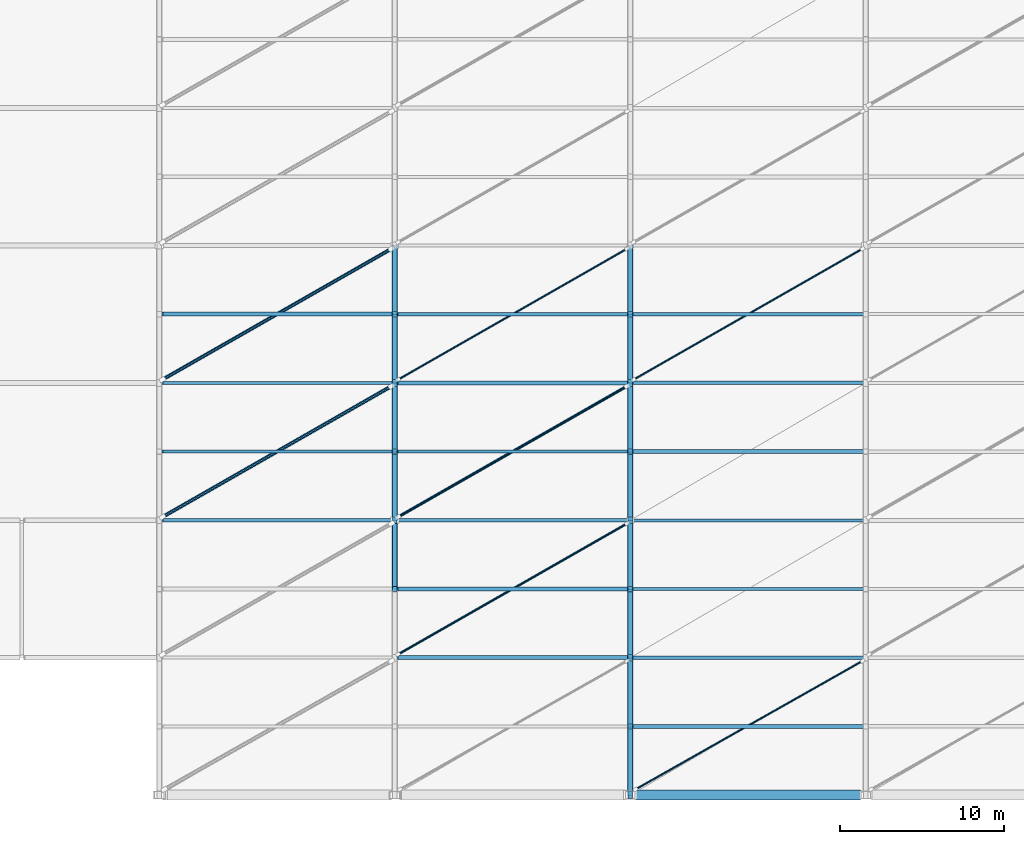
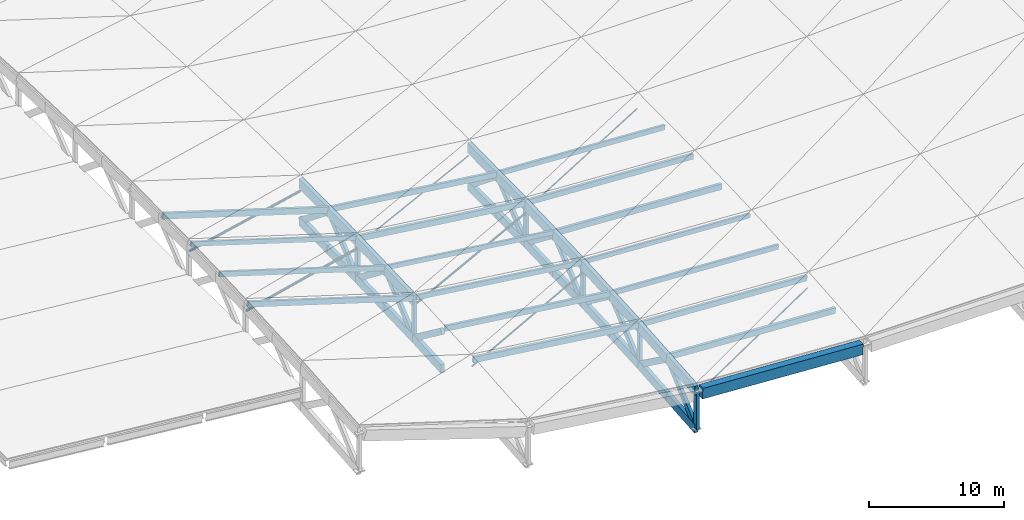
# One storey, part 2 of 22: 43 members, 26 beams.
"""IFC4 building model written with IfcOpenShell, lengths in metres."""

from ifc_helpers import new_model, si_unit, direction, frame, origin, origin_2d, place, context, subcontext, project, spatial, rectangle, hollow_circle, extrude, material, material_profile, profile_set, type_object, element, save


model = new_model("IFC4")

# Units and contexts
model_context = context("Model", 3, precision=1e-05, world=origin(), true_north=direction((0.0, 1.0)))
body_context = subcontext(model_context, "Body", "Model", "MODEL_VIEW")
ifc_project = project(units=[si_unit("LENGTHUNIT", "METRE"), si_unit("AREAUNIT", "SQUARE_METRE"), si_unit("VOLUMEUNIT", "CUBIC_METRE"), si_unit("PLANEANGLEUNIT", "RADIAN"), si_unit("MASSUNIT", "GRAM", prefix="KILO"), si_unit("THERMODYNAMICTEMPERATUREUNIT", "KELVIN")], contexts=[model_context])

# Site, building, storey
site_placement = place(None, origin())
site = spatial("IfcSite", under=ifc_project, at=site_placement, CompositionType="ELEMENT")
building_placement = place(site_placement, origin())
building = spatial("IfcBuilding", under=site, at=building_placement, Name="Nduvali Passage Aquatics Centre", CompositionType="ELEMENT")
storey_placement = place(building_placement, frame((0.0, 0.0, 21.60009765625)))
storey = spatial("IfcBuildingStorey", under=building, at=storey_placement, Name="RF", CompositionType="ELEMENT", Elevation=21.60009765625)

# Beams
ifc_material_1 = material(Name="Glulam GL32c", Category="wood")
ifc_material_profile_1 = material_profile(ifc_material_1, rectangle(XDim=0.320068359375, YDim=0.800048828125, at=origin_2d()), Name="GL32c 320x800")
ifc_profile_set_1 = profile_set([ifc_material_profile_1], Name="Glulam GL32c")
beam_type_1 = type_object("IfcBeamType", Name="STR-BM-GL32-BOT", PredefinedType="BEAM", material=ifc_profile_set_1)
beam_1_placement = place(storey_placement, frame((39.60009765625, 37.800048828125, -8.372802734375), z_axis=(0.0, 0.998233110761, 0.059419328339), x_axis=(-1.0, 0.0, 0.0)))
element("IfcBeam", 1, at=beam_1_placement, inside=storey, type_object=beam_type_1, Name="RF Pool Hall Roof Truss Bottom Chord R2 BC1-1717", PredefinedType="BEAM", context=body_context, shape_type="SweptSolid", body=[
    extrude(rectangle(XDim=0.320068359375, YDim=0.800048828125, at=origin_2d()), origin(), (0.0, 0.0, 1.0), 4.207275390625),
])
for number, where, z_axis, x_axis, name in (
    (2, (39.60009765625, 42.0, -8.122802734375), (0.0, 0.999363668121, 0.035668737559), (-1.0, 0.0, 0.0), "RF Pool Hall Roof Truss Bottom Chord R2 BC1-1719"),
    (3, (39.60009765625, 46.199951171875, -7.972900390625), (0.0, 0.999361595677, 0.035726755876), (-1.0, 0.0, 0.0), "RF Pool Hall Roof Truss Bottom Chord R2 BC1-1721"),
):
    element("IfcBeam", number, at=place(storey_placement, frame(where, z_axis=z_axis, x_axis=x_axis)), inside=storey, type_object=beam_type_1, Name=name, PredefinedType="BEAM", context=body_context, shape_type="SweptSolid", body=[
        extrude(rectangle(XDim=0.320068359375, YDim=0.800048828125, at=origin_2d()), origin(), (0.0, 0.0, 1.0), 4.20263671875),
    ])
beam_2_placement = place(storey_placement, frame((39.60009765625, 50.39990234375, -7.82275390625), z_axis=(0.0, 0.999929014015, 0.01191498767), x_axis=(-1.0, 0.0, 0.0)))
element("IfcBeam", 4, at=beam_2_placement, inside=storey, type_object=beam_type_1, Name="RF Pool Hall Roof Truss Bottom Chord R2 BC1-1723", PredefinedType="BEAM", context=body_context, shape_type="SweptSolid", body=[
    extrude(rectangle(XDim=0.320068359375, YDim=0.800048828125, at=origin_2d()), origin(), (0.0, 0.0, 1.0), 4.200439453125),
])
beam_3_placement = place(storey_placement, frame((39.60009765625, 54.60009765625, -7.772705078125), z_axis=(0.0, 0.999929696627, 0.011857563106), x_axis=(-1.0, 0.0, 0.0)))
element("IfcBeam", 5, at=beam_3_placement, inside=storey, type_object=beam_type_1, Name="RF Pool Hall Roof Truss Bottom Chord R2 BC1-1725", PredefinedType="BEAM", context=body_context, shape_type="SweptSolid", body=[
    extrude(rectangle(XDim=0.320068359375, YDim=0.800048828125, at=origin_2d()), origin(), (0.0, 0.0, 1.0), 4.2001953125),
])
beam_4_placement = place(storey_placement, frame((54.0, 25.199951171875, -11.158447265625), z_axis=(0.0, 0.996548554241, 0.083011921073), x_axis=(-1.0, 0.0, 0.0)))
element("IfcBeam", 6, at=beam_4_placement, inside=storey, type_object=beam_type_1, Name="RF Pool Hall Roof Truss Bottom Chord R3 BC1-1743", PredefinedType="BEAM", context=body_context, shape_type="SweptSolid", body=[
    extrude(rectangle(XDim=0.320068359375, YDim=0.800048828125, at=origin_2d()), origin(), (0.0, 0.0, 1.0), 4.214599609375),
])
beam_5_placement = place(storey_placement, frame((54.0, 29.39990234375, -10.80859375), z_axis=(0.0, 0.996544160125, 0.083064655058), x_axis=(-1.0, 0.0, 0.0)))
element("IfcBeam", 7, at=beam_5_placement, inside=storey, type_object=beam_type_1, Name="RF Pool Hall Roof Truss Bottom Chord R3 BC1-1745", PredefinedType="BEAM", context=body_context, shape_type="SweptSolid", body=[
    extrude(rectangle(XDim=0.320068359375, YDim=0.800048828125, at=origin_2d()), origin(), (0.0, 0.0, 1.0), 4.21484375),
])
for number, where, z_axis, x_axis, name in (
    (8, (54.0, 33.60009765625, -10.45849609375), (0.0, 0.998233110761, 0.059419328339), (-1.0, 0.0, 0.0), "RF Pool Hall Roof Truss Bottom Chord R3 BC1-1747"),
    (9, (54.0, 37.800048828125, -10.20849609375), (0.0, 0.998233110761, 0.059419328339), (-1.0, 0.0, 0.0), "RF Pool Hall Roof Truss Bottom Chord R3 BC1-1749"),
):
    element("IfcBeam", number, at=place(storey_placement, frame(where, z_axis=z_axis, x_axis=x_axis)), inside=storey, type_object=beam_type_1, Name=name, PredefinedType="BEAM", context=body_context, shape_type="SweptSolid", body=[
        extrude(rectangle(XDim=0.320068359375, YDim=0.800048828125, at=origin_2d()), origin(), (0.0, 0.0, 1.0), 4.207275390625),
    ])
for number, where, z_axis, x_axis, name in (
    (10, (54.0, 42.0, -9.95849609375), (0.0, 0.999363668121, 0.035668737559), (-1.0, 0.0, 0.0), "RF Pool Hall Roof Truss Bottom Chord R3 BC1-1751"),
    (11, (54.0, 46.199951171875, -9.80859375), (0.0, 0.999361595677, 0.035726755876), (-1.0, 0.0, 0.0), "RF Pool Hall Roof Truss Bottom Chord R3 BC1-1753"),
):
    element("IfcBeam", number, at=place(storey_placement, frame(where, z_axis=z_axis, x_axis=x_axis)), inside=storey, type_object=beam_type_1, Name=name, PredefinedType="BEAM", context=body_context, shape_type="SweptSolid", body=[
        extrude(rectangle(XDim=0.320068359375, YDim=0.800048828125, at=origin_2d()), origin(), (0.0, 0.0, 1.0), 4.20263671875),
    ])
beam_6_placement = place(storey_placement, frame((54.0, 50.39990234375, -9.658447265625), z_axis=(0.0, 0.999929014015, 0.01191498767), x_axis=(-1.0, 0.0, 0.0)))
element("IfcBeam", 12, at=beam_6_placement, inside=storey, type_object=beam_type_1, Name="RF Pool Hall Roof Truss Bottom Chord R3 BC1-1755", PredefinedType="BEAM", context=body_context, shape_type="SweptSolid", body=[
    extrude(rectangle(XDim=0.320068359375, YDim=0.800048828125, at=origin_2d()), origin(), (0.0, 0.0, 1.0), 4.200439453125),
])
beam_7_placement = place(storey_placement, frame((54.0, 54.60009765625, -9.6083984375), z_axis=(0.0, 0.999929696627, 0.011857563106), x_axis=(-1.0, 0.0, 0.0)))
element("IfcBeam", 13, at=beam_7_placement, inside=storey, type_object=beam_type_1, Name="RF Pool Hall Roof Truss Bottom Chord R3 BC1-1757", PredefinedType="BEAM", context=body_context, shape_type="SweptSolid", body=[
    extrude(rectangle(XDim=0.320068359375, YDim=0.800048828125, at=origin_2d()), origin(), (0.0, 0.0, 1.0), 4.2001953125),
])
ifc_material_profile_2 = material_profile(ifc_material_1, rectangle(XDim=0.320068359375, YDim=0.89990234375, at=origin_2d()), Name="GL32c 320x900")
ifc_profile_set_2 = profile_set([ifc_material_profile_2], Name="Glulam GL32c")
beam_type_2 = type_object("IfcBeamType", Name="STR-BM-GL32-TOP", PredefinedType="BEAM", material=ifc_profile_set_2)
for number, where, z_axis, x_axis, name in (
    (14, (39.60009765625, 42.0, -4.722900390625), (0.0, 0.999361595677, 0.035726755876), (-1.0, 0.0, 0.0), "RF Pool Hall Roof Truss Top Chord R2 TC1-1718"),
    (15, (39.60009765625, 46.199951171875, -4.57275390625), (0.0, 0.999363668121, 0.035668737559), (-1.0, 0.0, 0.0), "RF Pool Hall Roof Truss Top Chord R2 TC1-1720"),
):
    element("IfcBeam", number, at=place(storey_placement, frame(where, z_axis=z_axis, x_axis=x_axis)), inside=storey, type_object=beam_type_2, Name=name, PredefinedType="BEAM", context=body_context, shape_type="SweptSolid", body=[
        extrude(rectangle(XDim=0.320068359375, YDim=0.89990234375, at=origin_2d()), origin(), (0.0, 0.0, 1.0), 4.20263671875),
    ])
beam_8_placement = place(storey_placement, frame((39.60009765625, 50.39990234375, -4.4228515625), z_axis=(0.0, 0.999929014015, 0.01191498767), x_axis=(-1.0, 0.0, 0.0)))
element("IfcBeam", 16, at=beam_8_placement, inside=storey, type_object=beam_type_2, Name="RF Pool Hall Roof Truss Top Chord R2 TC1-1722", PredefinedType="BEAM", context=body_context, shape_type="SweptSolid", body=[
    extrude(rectangle(XDim=0.320068359375, YDim=0.89990234375, at=origin_2d()), origin(), (0.0, 0.0, 1.0), 4.200439453125),
])
beam_9_placement = place(storey_placement, frame((39.60009765625, 54.60009765625, -4.372802734375), z_axis=(0.0, 0.999929005763, 0.011915680183), x_axis=(-1.0, 0.0, 0.0)))
element("IfcBeam", 17, at=beam_9_placement, inside=storey, type_object=beam_type_2, Name="RF Pool Hall Roof Truss Top Chord R2 TC1-1724", PredefinedType="BEAM", context=body_context, shape_type="SweptSolid", body=[
    extrude(rectangle(XDim=0.320068359375, YDim=0.89990234375, at=origin_2d()), origin(), (0.0, 0.0, 1.0), 4.2001953125),
])
beam_10_placement = place(storey_placement, frame((54.0, 25.199951171875, -7.758544921875), z_axis=(0.0, 0.996543760423, 0.083069450238), x_axis=(-1.0, 0.0, 0.0)))
element("IfcBeam", 18, at=beam_10_placement, inside=storey, type_object=beam_type_2, Name="RF Pool Hall Roof Truss Top Chord R3 TC1-1742", PredefinedType="BEAM", context=body_context, shape_type="SweptSolid", body=[
    extrude(rectangle(XDim=0.320068359375, YDim=0.89990234375, at=origin_2d()), origin(), (0.0, 0.0, 1.0), 4.214599609375),
])
beam_11_placement = place(storey_placement, frame((54.0, 29.39990234375, -7.408447265625), z_axis=(0.0, 0.996548953392, 0.083007129168), x_axis=(-1.0, 0.0, 0.0)))
element("IfcBeam", 19, at=beam_11_placement, inside=storey, type_object=beam_type_2, Name="RF Pool Hall Roof Truss Top Chord R3 TC1-1744", PredefinedType="BEAM", context=body_context, shape_type="SweptSolid", body=[
    extrude(rectangle(XDim=0.320068359375, YDim=0.89990234375, at=origin_2d()), origin(), (0.0, 0.0, 1.0), 4.21484375),
])
for number, where, z_axis, x_axis, name in (
    (20, (54.0, 33.60009765625, -7.05859375), (0.0, 0.998233110761, 0.059419328339), (-1.0, 0.0, 0.0), "RF Pool Hall Roof Truss Top Chord R3 TC1-1746"),
    (21, (54.0, 37.800048828125, -6.80859375), (0.0, 0.998233110761, 0.059419328339), (-1.0, 0.0, 0.0), "RF Pool Hall Roof Truss Top Chord R3 TC1-1748"),
):
    element("IfcBeam", number, at=place(storey_placement, frame(where, z_axis=z_axis, x_axis=x_axis)), inside=storey, type_object=beam_type_2, Name=name, PredefinedType="BEAM", context=body_context, shape_type="SweptSolid", body=[
        extrude(rectangle(XDim=0.320068359375, YDim=0.89990234375, at=origin_2d()), origin(), (0.0, 0.0, 1.0), 4.207275390625),
    ])
for number, where, z_axis, x_axis, name in (
    (22, (54.0, 42.0, -6.55859375), (0.0, 0.999361595677, 0.035726755876), (-1.0, 0.0, 0.0), "RF Pool Hall Roof Truss Top Chord R3 TC1-1750"),
    (23, (54.0, 46.199951171875, -6.408447265625), (0.0, 0.999363668121, 0.035668737559), (-1.0, 0.0, 0.0), "RF Pool Hall Roof Truss Top Chord R3 TC1-1752"),
):
    element("IfcBeam", number, at=place(storey_placement, frame(where, z_axis=z_axis, x_axis=x_axis)), inside=storey, type_object=beam_type_2, Name=name, PredefinedType="BEAM", context=body_context, shape_type="SweptSolid", body=[
        extrude(rectangle(XDim=0.320068359375, YDim=0.89990234375, at=origin_2d()), origin(), (0.0, 0.0, 1.0), 4.20263671875),
    ])
beam_12_placement = place(storey_placement, frame((54.0, 50.39990234375, -6.258544921875), z_axis=(0.0, 0.999929014015, 0.01191498767), x_axis=(-1.0, 0.0, 0.0)))
element("IfcBeam", 24, at=beam_12_placement, inside=storey, type_object=beam_type_2, Name="RF Pool Hall Roof Truss Top Chord R3 TC1-1754", PredefinedType="BEAM", context=body_context, shape_type="SweptSolid", body=[
    extrude(rectangle(XDim=0.320068359375, YDim=0.89990234375, at=origin_2d()), origin(), (0.0, 0.0, 1.0), 4.200439453125),
])
beam_13_placement = place(storey_placement, frame((54.0, 54.60009765625, -6.20849609375), z_axis=(0.0, 0.999929005763, 0.011915680183), x_axis=(-1.0, 0.0, 0.0)))
element("IfcBeam", 25, at=beam_13_placement, inside=storey, type_object=beam_type_2, Name="RF Pool Hall Roof Truss Top Chord R3 TC1-1756", PredefinedType="BEAM", context=body_context, shape_type="SweptSolid", body=[
    extrude(rectangle(XDim=0.320068359375, YDim=0.89990234375, at=origin_2d()), origin(), (0.0, 0.0, 1.0), 4.2001953125),
])
ifc_material_2 = material(Name="Concrete C40/50", Category="concrete")
ifc_material_profile_3 = material_profile(ifc_material_2, rectangle(XDim=0.60009765625, YDim=0.949951171875, at=origin_2d()), Name="RC 600x950")
ifc_profile_set_3 = profile_set([ifc_material_profile_3], Name="Concrete C40/50")
beam_type_3 = type_object("IfcBeamType", Name="STR-BM-RC6095-EXT", PredefinedType="BEAM", material=ifc_profile_set_3)
beam_14_placement = place(storey_placement, frame((54.35009765625, 25.199951171875, -7.9814453125), z_axis=(0.998336260799, 0.0, -0.057660301546), x_axis=(0.0, 1.0, 0.0)))
element("IfcBeam", 26, at=beam_14_placement, inside=storey, type_object=beam_type_3, Name="RF Pool Hall Perimeter Ring Beam B1E-1666", PredefinedType="BEAM", context=body_context, shape_type="SweptSolid", body=[
    extrude(rectangle(XDim=0.60009765625, YDim=0.949951171875, at=origin_2d()), origin(), (0.0, 0.0, 1.0), 13.722900390625),
])

# Members
ifc_material_3 = material(Name="Steel S355", Category="steel")
ifc_material_profile_4 = material_profile(ifc_material_3, hollow_circle(Radius=0.05712890625, WallThickness=0.00634765625, at=origin_2d()), Name="CHS 114.3x6.3")
ifc_profile_set_4 = profile_set([ifc_material_profile_4], Name="Steel S355")
member_type_1 = type_object("IfcMemberType", Name="STR-MEM-CHS114", PredefinedType="BRACE", material=ifc_profile_set_4)
member_1_placement = place(storey_placement, frame((39.800048828125, 50.60009765625, -5.000732421875), z_axis=(0.863255417726, 0.493288810129, -0.107033796387), x_axis=(-0.496138938357, 0.868243142124, 0.0)))
element("IfcMember", 27, at=member_1_placement, inside=storey, type_object=member_type_1, Name="Pool Hall Roof Wind Brace B2-P4A", PredefinedType="BRACE", context=body_context, shape_type="SweptSolid", body=[
    extrude(hollow_circle(Radius=0.05712890625, WallThickness=0.00634765625, at=origin_2d()), origin(), (0.0, 0.0, 1.0), 16.2177734375),
])
member_2_placement = place(storey_placement, frame((54.320068359375, 25.550048828125, -8.33642578125), z_axis=(0.870422293129, 0.492272707925, -0.005710749232), x_axis=(-0.492280735282, 0.870436486868, 0.0)))
element("IfcMember", 28, at=member_2_placement, inside=storey, type_object=member_type_1, Name="Pool Hall Roof Wind Brace B3-P1A", PredefinedType="BRACE", context=body_context, shape_type="SweptSolid", body=[
    extrude(hollow_circle(Radius=0.05712890625, WallThickness=0.00634765625, at=origin_2d()), origin(), (0.0, 0.0, 1.0), 15.946044921875),
])
member_3_placement = place(storey_placement, frame((54.199951171875, 50.60009765625, -6.83642578125), z_axis=(0.867446616213, 0.495683780693, -0.042824730931), x_axis=(-0.496138938357, 0.868243142124, 0.0)))
element("IfcMember", 29, at=member_3_placement, inside=storey, type_object=member_type_1, Name="Pool Hall Roof Wind Brace B3-P4A", PredefinedType="BRACE", context=body_context, shape_type="SweptSolid", body=[
    extrude(hollow_circle(Radius=0.05712890625, WallThickness=0.00634765625, at=origin_2d()), origin(), (0.0, 0.0, 1.0), 16.139404296875),
])
ifc_material_profile_5 = material_profile(ifc_material_3, hollow_circle(Radius=0.06982421875, WallThickness=0.00634765625, at=origin_2d()), Name="CHS 139.7x6.3")
ifc_profile_set_5 = profile_set([ifc_material_profile_5], Name="Steel S355")
member_type_2 = type_object("IfcMemberType", Name="STR-MEM-CHS139", PredefinedType="BRACE", material=ifc_profile_set_5)
member_4_placement = place(storey_placement, frame((39.800048828125, 33.800048828125, -5.80078125), z_axis=(0.865279515362, 0.49444543735, -0.082553435905), x_axis=(-0.496138938357, 0.868243142124, 0.0)))
element("IfcMember", 30, at=member_4_placement, inside=storey, type_object=member_type_2, Name="Pool Hall Roof Wind Brace B2-P2A", PredefinedType="BRACE", context=body_context, shape_type="SweptSolid", body=[
    extrude(hollow_circle(Radius=0.06982421875, WallThickness=0.00634765625, at=origin_2d()), origin(), (0.0, 0.0, 1.0), 16.1796875),
])
ifc_material_profile_6 = material_profile(ifc_material_3, hollow_circle(Radius=0.084228515625, WallThickness=0.00634765625, at=origin_2d()), Name="CHS 168.3x6.3")
ifc_profile_set_6 = profile_set([ifc_material_profile_6], Name="Steel S355")
member_type_3 = type_object("IfcMemberType", Name="STR-MEM-CHS168", PredefinedType="BRACE", material=ifc_profile_set_6)
member_5_placement = place(storey_placement, frame((39.800048828125, 42.199951171875, -5.30078125), z_axis=(0.864332236549, 0.493904135171, -0.094807648017), x_axis=(-0.496138938357, 0.868243142124, 0.0)))
element("IfcMember", 31, at=member_5_placement, inside=storey, type_object=member_type_3, Name="Pool Hall Roof Wind Brace B2-P3A", PredefinedType="BRACE", context=body_context, shape_type="SweptSolid", body=[
    extrude(hollow_circle(Radius=0.084228515625, WallThickness=0.00634765625, at=origin_2d()), origin(), (0.0, 0.0, 1.0), 16.197509765625),
])
ifc_material_profile_7 = material_profile(ifc_material_3, hollow_circle(Radius=0.109619140625, WallThickness=0.008056640625, at=origin_2d()), Name="CHS 219.1x8.0")
ifc_profile_set_7 = profile_set([ifc_material_profile_7], Name="Steel S355")
member_type_4 = type_object("IfcMemberType", Name="STR-MEM-CHS219", PredefinedType="BRACE", material=ifc_profile_set_7)
member_6_placement = place(storey_placement, frame((25.39990234375, 42.199951171875, -0.822021484375), z_axis=(0.840478431284, 0.480273389305, -0.25086545811), x_axis=(-0.496138938357, 0.868243142124, 0.0)))
element("IfcMember", 32, at=member_6_placement, inside=storey, type_object=member_type_4, Name="Pool Hall Roof Wind Brace B1-P3A", PredefinedType="BRACE", context=body_context, shape_type="SweptSolid", body=[
    extrude(hollow_circle(Radius=0.109619140625, WallThickness=0.008056640625, at=origin_2d()), origin(), (0.0, 0.0, 1.0), 16.6572265625),
])
member_7_placement = place(storey_placement, frame((25.39990234375, 50.60009765625, -0.522216796875), z_axis=(0.83789881528, 0.478799323017, -0.262062556711), x_axis=(-0.496138938357, 0.868243142124, 0.0)))
element("IfcMember", 33, at=member_7_placement, inside=storey, type_object=member_type_4, Name="Pool Hall Roof Wind Brace B1-P4A", PredefinedType="BRACE", context=body_context, shape_type="SweptSolid", body=[
    extrude(hollow_circle(Radius=0.109619140625, WallThickness=0.008056640625, at=origin_2d()), origin(), (0.0, 0.0, 1.0), 16.70849609375),
])
ifc_material_4 = material(Name="Glulam GL28h", Category="wood")
ifc_material_profile_8 = material_profile(ifc_material_4, rectangle(XDim=0.260009765625, YDim=0.52001953125, at=origin_2d()), Name="GL28h 260x520")
ifc_profile_set_8 = profile_set([ifc_material_profile_8], Name="Glulam GL28h")
member_type_5 = type_object("IfcMemberType", Name="STR-MEM-GL-DIAG", PredefinedType="CHORD", material=ifc_profile_set_8)
member_8_placement = place(storey_placement, frame((39.60009765625, 37.800048828125, -4.972900390625), z_axis=(0.0, 0.800005580426, -0.599992559359), x_axis=(-1.0, 0.0, 0.0)))
element("IfcMember", 34, at=member_8_placement, inside=storey, type_object=member_type_5, Name="Pool Hall Roof Truss Web Diagonal R2-4", PredefinedType="CHORD", context=body_context, shape_type="SweptSolid", body=[
    extrude(rectangle(XDim=0.260009765625, YDim=0.52001953125, at=origin_2d()), origin(), (0.0, 0.0, 1.0), 5.25),
])
member_9_placement = place(storey_placement, frame((39.60009765625, 42.0, -8.122802734375), z_axis=(0.0, 0.763722969403, 0.645544131726), x_axis=(-1.0, 0.0, 0.0)))
element("IfcMember", 35, at=member_9_placement, inside=storey, type_object=member_type_5, Name="Pool Hall Roof Truss Web Diagonal R2-5", PredefinedType="CHORD", context=body_context, shape_type="SweptSolid", body=[
    extrude(rectangle(XDim=0.260009765625, YDim=0.52001953125, at=origin_2d()), origin(), (0.0, 0.0, 1.0), 5.499267578125),
])
member_10_placement = place(storey_placement, frame((39.60009765625, 46.199951171875, -4.57275390625), z_axis=(0.0, 0.790867256885, -0.611987730259), x_axis=(-1.0, 0.0, 0.0)))
element("IfcMember", 36, at=member_10_placement, inside=storey, type_object=member_type_5, Name="Pool Hall Roof Truss Web Diagonal R2-6", PredefinedType="CHORD", context=body_context, shape_type="SweptSolid", body=[
    extrude(rectangle(XDim=0.260009765625, YDim=0.52001953125, at=origin_2d()), origin(), (0.0, 0.0, 1.0), 5.310546875),
])
member_11_placement = place(storey_placement, frame((39.60009765625, 50.39990234375, -7.82275390625), z_axis=(0.0, 0.772745137627, 0.634716434539), x_axis=(-1.0, 0.0, 0.0)))
element("IfcMember", 37, at=member_11_placement, inside=storey, type_object=member_type_5, Name="Pool Hall Roof Truss Web Diagonal R2-7", PredefinedType="CHORD", context=body_context, shape_type="SweptSolid", body=[
    extrude(rectangle(XDim=0.260009765625, YDim=0.52001953125, at=origin_2d()), origin(), (0.0, 0.0, 1.0), 5.435302734375),
])
member_12_placement = place(storey_placement, frame((39.60009765625, 54.60009765625, -4.372802734375), z_axis=(0.0, 0.781763575378, -0.623574945145), x_axis=(-1.0, 0.0, 0.0)))
element("IfcMember", 38, at=member_12_placement, inside=storey, type_object=member_type_5, Name="Pool Hall Roof Truss Web Diagonal R2-8", PredefinedType="CHORD", context=body_context, shape_type="SweptSolid", body=[
    extrude(rectangle(XDim=0.260009765625, YDim=0.52001953125, at=origin_2d()), origin(), (0.0, 0.0, 1.0), 5.372314453125),
])
member_13_placement = place(storey_placement, frame((54.0, 25.199951171875, -11.158447265625), z_axis=(0.0, 0.745933814853, 0.666020077669), x_axis=(-1.0, 0.0, 0.0)))
element("IfcMember", 39, at=member_13_placement, inside=storey, type_object=member_type_5, Name="Pool Hall Roof Truss Web Diagonal R3-1", PredefinedType="CHORD", context=body_context, shape_type="SweptSolid", body=[
    extrude(rectangle(XDim=0.260009765625, YDim=0.52001953125, at=origin_2d()), origin(), (0.0, 0.0, 1.0), 5.63037109375),
])
member_14_placement = place(storey_placement, frame((54.0, 29.39990234375, -7.408447265625), z_axis=(0.0, 0.809160952466, -0.587587059937), x_axis=(-1.0, 0.0, 0.0)))
element("IfcMember", 40, at=member_14_placement, inside=storey, type_object=member_type_5, Name="Pool Hall Roof Truss Web Diagonal R3-2", PredefinedType="CHORD", context=body_context, shape_type="SweptSolid", body=[
    extrude(rectangle(XDim=0.260009765625, YDim=0.52001953125, at=origin_2d()), origin(), (0.0, 0.0, 1.0), 5.19091796875),
])
member_15_placement = place(storey_placement, frame((54.0, 33.60009765625, -10.45849609375), z_axis=(0.0, 0.754803851974, 0.655950566007), x_axis=(-1.0, 0.0, 0.0)))
element("IfcMember", 41, at=member_15_placement, inside=storey, type_object=member_type_5, Name="Pool Hall Roof Truss Web Diagonal R3-3", PredefinedType="CHORD", context=body_context, shape_type="SweptSolid", body=[
    extrude(rectangle(XDim=0.260009765625, YDim=0.52001953125, at=origin_2d()), origin(), (0.0, 0.0, 1.0), 5.564208984375),
])
member_16_placement = place(storey_placement, frame((54.0, 37.800048828125, -6.80859375), z_axis=(0.0, 0.800005580426, -0.599992559359), x_axis=(-1.0, 0.0, 0.0)))
element("IfcMember", 42, at=member_16_placement, inside=storey, type_object=member_type_5, Name="Pool Hall Roof Truss Web Diagonal R3-4", PredefinedType="CHORD", context=body_context, shape_type="SweptSolid", body=[
    extrude(rectangle(XDim=0.260009765625, YDim=0.52001953125, at=origin_2d()), origin(), (0.0, 0.0, 1.0), 5.25),
])
member_17_placement = place(storey_placement, frame((54.0, 42.0, -9.95849609375), z_axis=(0.0, 0.763722969403, 0.645544131726), x_axis=(-1.0, 0.0, 0.0)))
element("IfcMember", 43, at=member_17_placement, inside=storey, type_object=member_type_5, Name="Pool Hall Roof Truss Web Diagonal R3-5", PredefinedType="CHORD", context=body_context, shape_type="SweptSolid", body=[
    extrude(rectangle(XDim=0.260009765625, YDim=0.52001953125, at=origin_2d()), origin(), (0.0, 0.0, 1.0), 5.499267578125),
])
member_18_placement = place(storey_placement, frame((54.0, 46.199951171875, -6.408447265625), z_axis=(0.0, 0.790867256885, -0.611987730259), x_axis=(-1.0, 0.0, 0.0)))
element("IfcMember", 44, at=member_18_placement, inside=storey, type_object=member_type_5, Name="Pool Hall Roof Truss Web Diagonal R3-6", PredefinedType="CHORD", context=body_context, shape_type="SweptSolid", body=[
    extrude(rectangle(XDim=0.260009765625, YDim=0.52001953125, at=origin_2d()), origin(), (0.0, 0.0, 1.0), 5.310546875),
])
member_19_placement = place(storey_placement, frame((54.0, 50.39990234375, -9.658447265625), z_axis=(0.0, 0.772745137627, 0.634716434539), x_axis=(-1.0, 0.0, 0.0)))
element("IfcMember", 45, at=member_19_placement, inside=storey, type_object=member_type_5, Name="Pool Hall Roof Truss Web Diagonal R3-7", PredefinedType="CHORD", context=body_context, shape_type="SweptSolid", body=[
    extrude(rectangle(XDim=0.260009765625, YDim=0.52001953125, at=origin_2d()), origin(), (0.0, 0.0, 1.0), 5.435302734375),
])
member_20_placement = place(storey_placement, frame((54.0, 54.60009765625, -6.20849609375), z_axis=(0.0, 0.781763575378, -0.623574945145), x_axis=(-1.0, 0.0, 0.0)))
element("IfcMember", 46, at=member_20_placement, inside=storey, type_object=member_type_5, Name="Pool Hall Roof Truss Web Diagonal R3-8", PredefinedType="CHORD", context=body_context, shape_type="SweptSolid", body=[
    extrude(rectangle(XDim=0.260009765625, YDim=0.52001953125, at=origin_2d()), origin(), (0.0, 0.0, 1.0), 5.372314453125),
])
ifc_material_profile_9 = material_profile(ifc_material_4, rectangle(XDim=0.179931640625, YDim=0.39990234375, at=origin_2d()), Name="GL28h 180x400")
ifc_profile_set_9 = profile_set([ifc_material_profile_9], Name="Glulam GL28h")
member_type_6 = type_object("IfcMemberType", Name="STR-MEM-GL-PUR1", PredefinedType="PURLIN", material=ifc_profile_set_9)
member_21_placement = place(storey_placement, frame((25.360107421875, 50.39990234375, 0.26318359375), z_axis=(0.954880673718, 0.0, -0.296989728711), x_axis=(0.0, 1.0, 0.0)))
element("IfcMember", 47, at=member_21_placement, inside=storey, type_object=member_type_6, Name="Pool Hall Saddle Roof Purlin B1-6", PredefinedType="PURLIN", context=body_context, shape_type="SweptSolid", body=[
    extrude(rectangle(XDim=0.179931640625, YDim=0.39990234375, at=origin_2d()), origin(), (0.0, 0.0, 1.0), 14.7451171875),
])
member_22_placement = place(storey_placement, frame((39.760009765625, 46.199951171875, -4.336181640625), z_axis=(0.991972197135, 0.0, -0.126456158852), x_axis=(0.0, 1.0, 0.0)))
element("IfcMember", 48, at=member_22_placement, inside=storey, type_object=member_type_6, Name="Pool Hall Saddle Roof Purlin B2-5", PredefinedType="PURLIN", context=body_context, shape_type="SweptSolid", body=[
    extrude(rectangle(XDim=0.179931640625, YDim=0.39990234375, at=origin_2d()), origin(), (0.0, 0.0, 1.0), 14.194091796875),
])
member_23_placement = place(storey_placement, frame((54.159912109375, 42.0, -6.310302734375), z_axis=(0.998494679989, 0.0, -0.054848646591), x_axis=(0.0, 1.0, 0.0)))
element("IfcMember", 49, at=member_23_placement, inside=storey, type_object=member_type_6, Name="Pool Hall Saddle Roof Purlin B3-4", PredefinedType="PURLIN", context=body_context, shape_type="SweptSolid", body=[
    extrude(rectangle(XDim=0.179931640625, YDim=0.39990234375, at=origin_2d()), origin(), (0.0, 0.0, 1.0), 14.101318359375),
])
ifc_material_profile_10 = material_profile(ifc_material_4, rectangle(XDim=0.219970703125, YDim=0.47998046875, at=origin_2d()), Name="GL28h 220x480")
ifc_profile_set_10 = profile_set([ifc_material_profile_10], Name="Glulam GL28h")
member_type_7 = type_object("IfcMemberType", Name="STR-MEM-GL-PUR3", PredefinedType="PURLIN", material=ifc_profile_set_10)
member_24_placement = place(storey_placement, frame((25.360107421875, 42.0, -0.076904296875), z_axis=(0.954880673718, 0.0, -0.296989728711), x_axis=(0.0, 1.0, 0.0)))
element("IfcMember", 50, at=member_24_placement, inside=storey, type_object=member_type_7, Name="Pool Hall Saddle Roof Purlin B1-4", PredefinedType="PURLIN", context=body_context, shape_type="SweptSolid", body=[
    extrude(rectangle(XDim=0.219970703125, YDim=0.47998046875, at=origin_2d()), origin(), (0.0, 0.0, 1.0), 14.7451171875),
])
for number, where, z_axis, x_axis, name in (
    (51, (39.760009765625, 37.800048828125, -4.776123046875), (0.991972197135, 0.0, -0.126456158852), (0.0, 1.0, 0.0), "Pool Hall Saddle Roof Purlin B2-3"),
    (52, (39.760009765625, 54.60009765625, -4.17626953125), (0.991972197135, 0.0, -0.126456158852), (0.0, 1.0, 0.0), "Pool Hall Saddle Roof Purlin B2-7"),
):
    element("IfcMember", number, at=place(storey_placement, frame(where, z_axis=z_axis, x_axis=x_axis)), inside=storey, type_object=member_type_7, Name=name, PredefinedType="PURLIN", context=body_context, shape_type="SweptSolid", body=[
        extrude(rectangle(XDim=0.219970703125, YDim=0.47998046875, at=origin_2d()), origin(), (0.0, 0.0, 1.0), 14.194091796875),
    ])
for number, where, z_axis, x_axis, name in (
    (53, (54.159912109375, 33.60009765625, -6.850341796875), (0.998494679989, 0.0, -0.054848646591), (0.0, 1.0, 0.0), "Pool Hall Saddle Roof Purlin B3-2"),
    (54, (54.159912109375, 50.39990234375, -6.05029296875), (0.998494679989, 0.0, -0.054848646591), (0.0, 1.0, 0.0), "Pool Hall Saddle Roof Purlin B3-6"),
):
    element("IfcMember", number, at=place(storey_placement, frame(where, z_axis=z_axis, x_axis=x_axis)), inside=storey, type_object=member_type_7, Name=name, PredefinedType="PURLIN", context=body_context, shape_type="SweptSolid", body=[
        extrude(rectangle(XDim=0.219970703125, YDim=0.47998046875, at=origin_2d()), origin(), (0.0, 0.0, 1.0), 14.101318359375),
    ])
ifc_material_profile_11 = material_profile(ifc_material_4, rectangle(XDim=0.199951171875, YDim=0.43994140625, at=origin_2d()), Name="GL28h 200x440")
ifc_profile_set_11 = profile_set([ifc_material_profile_11], Name="Glulam GL28h")
member_type_8 = type_object("IfcMemberType", Name="STR-MEM-GL-PUR4", PredefinedType="PURLIN", material=ifc_profile_set_11)
member_25_placement = place(storey_placement, frame((25.360107421875, 46.199951171875, 0.093017578125), z_axis=(0.954885369125, 0.0, -0.296974631628), x_axis=(0.0, 1.0, 0.0)))
element("IfcMember", 55, at=member_25_placement, inside=storey, type_object=member_type_8, Name="Pool Hall Saddle Roof Purlin B1-5", PredefinedType="PURLIN", context=body_context, shape_type="SweptSolid", body=[
    extrude(rectangle(XDim=0.199951171875, YDim=0.43994140625, at=origin_2d()), origin(), (0.0, 0.0, 1.0), 14.7451171875),
])
member_26_placement = place(storey_placement, frame((39.760009765625, 42.0, -4.506103515625), z_axis=(0.991972197135, 0.0, -0.126456158852), x_axis=(0.0, 1.0, 0.0)))
element("IfcMember", 56, at=member_26_placement, inside=storey, type_object=member_type_8, Name="Pool Hall Saddle Roof Purlin B2-4", PredefinedType="PURLIN", context=body_context, shape_type="SweptSolid", body=[
    extrude(rectangle(XDim=0.199951171875, YDim=0.43994140625, at=origin_2d()), origin(), (0.0, 0.0, 1.0), 14.194091796875),
])
for number, where, z_axis, x_axis, name in (
    (57, (54.159912109375, 37.800048828125, -6.580322265625), (0.998494679989, 0.0, -0.054848646591), (0.0, 1.0, 0.0), "Pool Hall Saddle Roof Purlin B3-3"),
    (58, (54.159912109375, 54.60009765625, -5.980224609375), (0.998493731658, 0.0, -0.054865907817), (0.0, 1.0, 0.0), "Pool Hall Saddle Roof Purlin B3-7"),
):
    element("IfcMember", number, at=place(storey_placement, frame(where, z_axis=z_axis, x_axis=x_axis)), inside=storey, type_object=member_type_8, Name=name, PredefinedType="PURLIN", context=body_context, shape_type="SweptSolid", body=[
        extrude(rectangle(XDim=0.199951171875, YDim=0.43994140625, at=origin_2d()), origin(), (0.0, 0.0, 1.0), 14.101318359375),
    ])
ifc_material_profile_12 = material_profile(ifc_material_4, rectangle(XDim=0.239990234375, YDim=0.52001953125, at=origin_2d()), Name="GL28h 240x520")
ifc_profile_set_12 = profile_set([ifc_material_profile_12], Name="Glulam GL28h")
member_type_9 = type_object("IfcMemberType", Name="STR-MEM-GL-PUR5", PredefinedType="PURLIN", material=ifc_profile_set_12)
member_27_placement = place(storey_placement, frame((25.360107421875, 54.60009765625, 0.253173828125), z_axis=(0.954880673718, 0.0, -0.296989728711), x_axis=(0.0, 1.0, 0.0)))
element("IfcMember", 59, at=member_27_placement, inside=storey, type_object=member_type_9, Name="Pool Hall Saddle Roof Purlin B1-7", PredefinedType="PURLIN", context=body_context, shape_type="SweptSolid", body=[
    extrude(rectangle(XDim=0.239990234375, YDim=0.52001953125, at=origin_2d()), origin(), (0.0, 0.0, 1.0), 14.7451171875),
])
for number, where, z_axis, x_axis, name in (
    (60, (39.760009765625, 33.60009765625, -5.046142578125), (0.991972197135, 0.0, -0.126456158852), (0.0, 1.0, 0.0), "Pool Hall Saddle Roof Purlin B2-2"),
    (61, (39.760009765625, 50.39990234375, -4.24609375), (0.991972197135, 0.0, -0.126456158852), (0.0, 1.0, 0.0), "Pool Hall Saddle Roof Purlin B2-6"),
):
    element("IfcMember", number, at=place(storey_placement, frame(where, z_axis=z_axis, x_axis=x_axis)), inside=storey, type_object=member_type_9, Name=name, PredefinedType="PURLIN", context=body_context, shape_type="SweptSolid", body=[
        extrude(rectangle(XDim=0.239990234375, YDim=0.52001953125, at=origin_2d()), origin(), (0.0, 0.0, 1.0), 14.194091796875),
    ])
for number, where, z_axis, x_axis, name in (
    (62, (54.159912109375, 29.39990234375, -7.22021484375), (0.998493731658, 0.0, -0.054865907817), (0.0, 1.0, 0.0), "Pool Hall Saddle Roof Purlin B3-1"),
    (63, (54.159912109375, 46.199951171875, -6.22021484375), (0.998493731658, 0.0, -0.054865907817), (0.0, 1.0, 0.0), "Pool Hall Saddle Roof Purlin B3-5"),
):
    element("IfcMember", number, at=place(storey_placement, frame(where, z_axis=z_axis, x_axis=x_axis)), inside=storey, type_object=member_type_9, Name=name, PredefinedType="PURLIN", context=body_context, shape_type="SweptSolid", body=[
        extrude(rectangle(XDim=0.239990234375, YDim=0.52001953125, at=origin_2d()), origin(), (0.0, 0.0, 1.0), 14.101318359375),
    ])
ifc_material_profile_13 = material_profile(ifc_material_4, rectangle(XDim=0.260009765625, YDim=0.419921875, at=origin_2d()), Name="GL28h 260x420")
ifc_profile_set_13 = profile_set([ifc_material_profile_13], Name="Glulam GL28h")
member_type_10 = type_object("IfcMemberType", Name="STR-MEM-GL-VERT", PredefinedType="STRUT", material=ifc_profile_set_13)
for number, where, z_axis, x_axis, name in (
    (64, (39.60009765625, 42.0, -8.122802734375), (0.0, 0.0, 1.0), (1.0, 0.0, 0.0), "Pool Hall Roof Truss Vertical Strut R2-3"),
    (65, (39.60009765625, 50.39990234375, -7.82275390625), (0.0, 0.0, 1.0), (1.0, 0.0, 0.0), "Pool Hall Roof Truss Vertical Strut R2-4"),
    (66, (54.0, 25.199951171875, -11.158447265625), (0.0, 0.0, 1.0), (1.0, 0.0, 0.0), "Pool Hall Roof Truss Vertical Strut R3-1"),
    (67, (54.0, 33.60009765625, -10.45849609375), (0.0, 0.0, 1.0), (1.0, 0.0, 0.0), "Pool Hall Roof Truss Vertical Strut R3-2"),
    (68, (54.0, 42.0, -9.95849609375), (0.0, 0.0, 1.0), (1.0, 0.0, 0.0), "Pool Hall Roof Truss Vertical Strut R3-3"),
    (69, (54.0, 50.39990234375, -9.658447265625), (0.0, 0.0, 1.0), (1.0, 0.0, 0.0), "Pool Hall Roof Truss Vertical Strut R3-4"),
):
    element("IfcMember", number, at=place(storey_placement, frame(where, z_axis=z_axis, x_axis=x_axis)), inside=storey, type_object=member_type_10, Name=name, PredefinedType="STRUT", context=body_context, shape_type="SweptSolid", body=[
        extrude(rectangle(XDim=0.260009765625, YDim=0.419921875, at=origin_2d()), origin(), (0.0, 0.0, 1.0), 3.39990234375),
    ])

save(model, "model.ifc")
